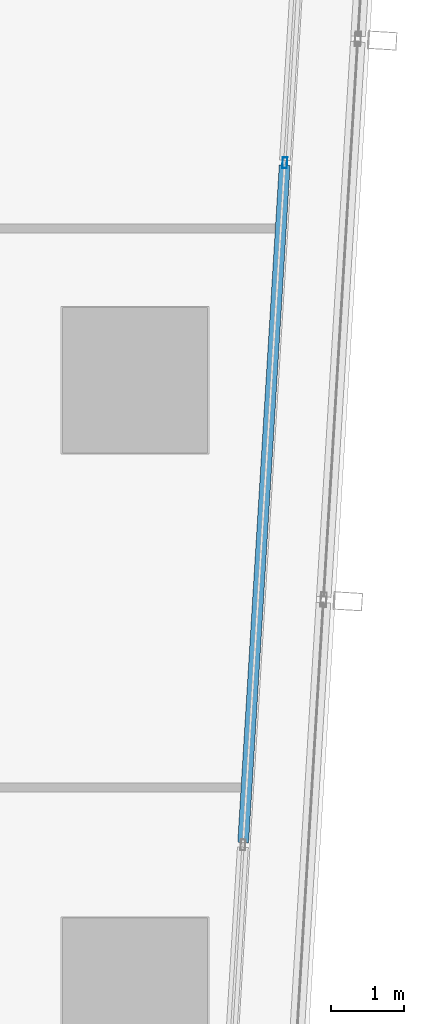
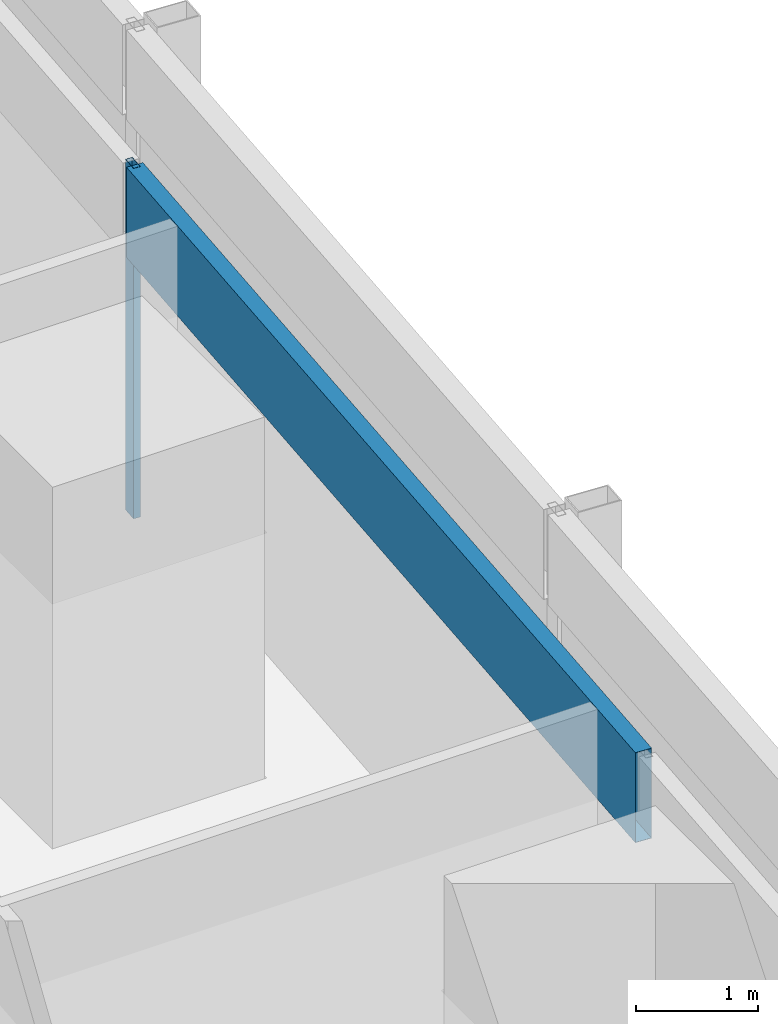
# One storey, part 11 of 36: 2 members, 1 element without a shape of its own.
"""IFC4 building model written with IfcOpenShell, lengths in metres."""

from ifc_helpers import new_model, si_unit, direction, frame, origin, origin_2d, place, context, subcontext, project, spatial, hollow_rectangle, extrude, material, material_profile, profile_set, type_object, element, aggregate, save


model = new_model("IFC4")

# Units and contexts
model_context = context("Model", 3, precision=1e-05, world=origin(), true_north=direction((0.0, 1.0)))
body_context = subcontext(model_context, "Body", "Model", "MODEL_VIEW")
ifc_project = project(units=[si_unit("LENGTHUNIT", "METRE"), si_unit("AREAUNIT", "SQUARE_METRE"), si_unit("VOLUMEUNIT", "CUBIC_METRE"), si_unit("PLANEANGLEUNIT", "RADIAN"), si_unit("MASSUNIT", "GRAM", prefix="KILO")], contexts=[model_context])

# Site, building, storey
site_placement = place(None, origin())
site = spatial("IfcSite", under=ifc_project, at=site_placement, CompositionType="ELEMENT")
building_placement = place(site_placement, origin())
building = spatial("IfcBuilding", under=site, at=building_placement, Name="Rekha Terrace Tower", CompositionType="ELEMENT")
storey_placement = place(building_placement, frame((0.0, 0.0, 144.050048828125)))
storey = spatial("IfcBuildingStorey", under=building, at=storey_placement, Name="L36", CompositionType="ELEMENT", Elevation=144.050048828125)

# Curtain wall, members
ifc_material_1 = material(Name="Aluminium framing", Category="aluminium")
curtain_wall_type = type_object("IfcCurtainWallType", Name="CW1 double skin inner glazing", PredefinedType="USERDEFINED", material=ifc_material_1)
curtain_wall_placement = place(storey_placement, origin())
curtain_wall = element("IfcCurtainWall", 1, at=curtain_wall_placement, inside=storey, type_object=curtain_wall_type, Name="CW1 double skin inner glazing", ObjectType="DOUBLE SKIN INNER GLAZING", PredefinedType="USERDEFINED")
ifc_material_2 = material(Name="Aluminium mullion section", Category="aluminium")
ifc_material_profile_1 = material_profile(ifc_material_2, hollow_rectangle(XDim=0.06494140625, YDim=0.14990234375, WallThickness=0.00390625, at=origin_2d()), Name="AL RHS 65x150")
ifc_profile_set_1 = profile_set([ifc_material_profile_1], Name="Aluminium mullion section")
member_type_1 = type_object("IfcMemberType", Name="CW1 mullion RHS 65 x 150", PredefinedType="MULLION", material=ifc_profile_set_1)
member_1_placement = place(storey_placement, frame((69.260986328125, 36.589599609375, 0.0), z_axis=(0.0, 0.0, 1.0), x_axis=(-0.998127987024, 0.061159803131, 0.0)))
member_1 = element("IfcMember", 2, at=member_1_placement, type_object=member_type_1, Name="CW1 mullion 3", PredefinedType="MULLION", context=body_context, shape_type="SweptSolid", body=[
    extrude(hollow_rectangle(XDim=0.06494140625, YDim=0.14990234375, WallThickness=0.00390625, at=origin_2d()), origin(), (0.0, 0.0, 1.0), 3.5),
])
ifc_material_3 = material(Name="Insulated aluminium spandrel box", Category="aluminium")
ifc_material_profile_2 = material_profile(ifc_material_3, hollow_rectangle(XDim=0.14990234375, YDim=0.89990234375, WallThickness=0.0029296875, at=origin_2d()), Name="AL SPANDREL BOX 150x900")
ifc_profile_set_2 = profile_set([ifc_material_profile_2], Name="Insulated aluminium spandrel box")
member_type_2 = type_object("IfcMemberType", Name="CW1 spandrel transom 150 x 900", PredefinedType="USERDEFINED", material=ifc_profile_set_2)
member_2_placement = place(storey_placement, frame((68.68798828125, 27.239990234375, 3.050048828125), z_axis=(0.06117493887, 0.998127059474, 0.0), x_axis=(-0.998127059474, 0.06117493887, 0.0)))
member_2 = element("IfcMember", 3, at=member_2_placement, type_object=member_type_2, Name="CW1 spandrel transom 2", ObjectType="TRANSOM", PredefinedType="USERDEFINED", context=body_context, shape_type="SweptSolid", body=[
    extrude(hollow_rectangle(XDim=0.14990234375, YDim=0.89990234375, WallThickness=0.0029296875, at=origin_2d()), origin(), (0.0, 0.0, 1.0), 9.334716796875),
])
aggregate(curtain_wall, [member_1, member_2])

save(model, "model.ifc")
